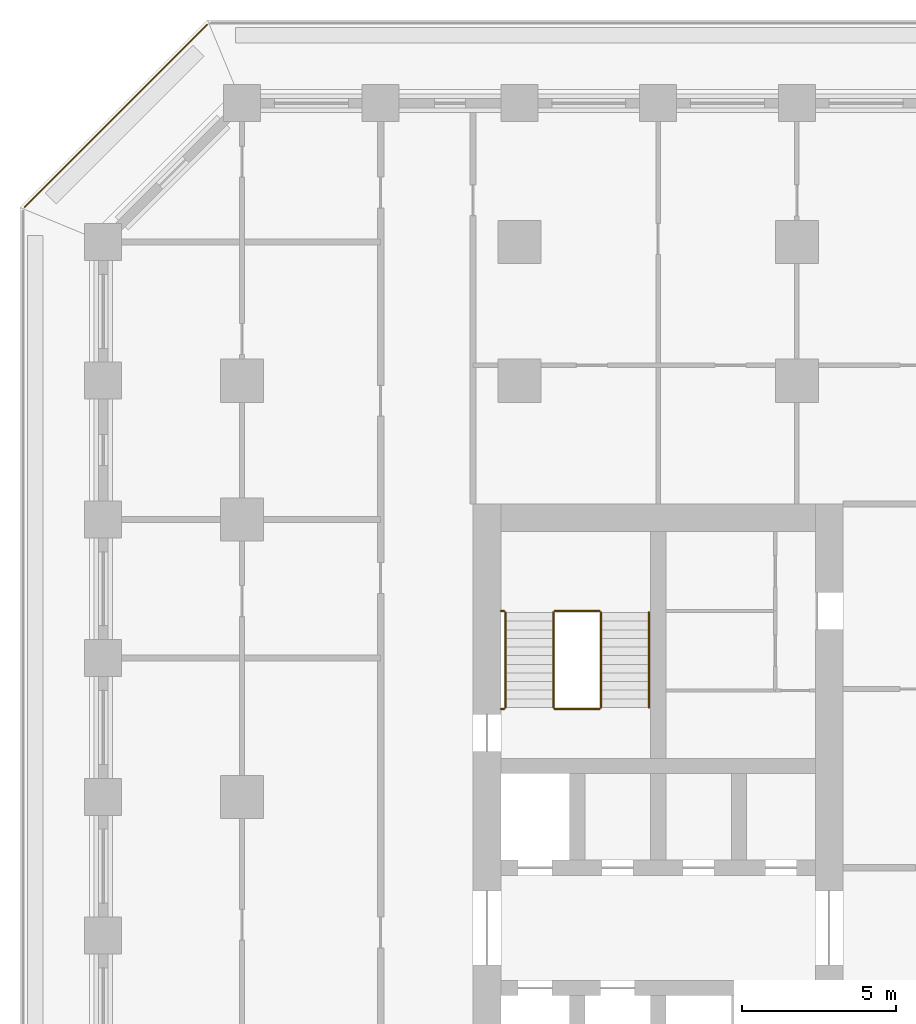
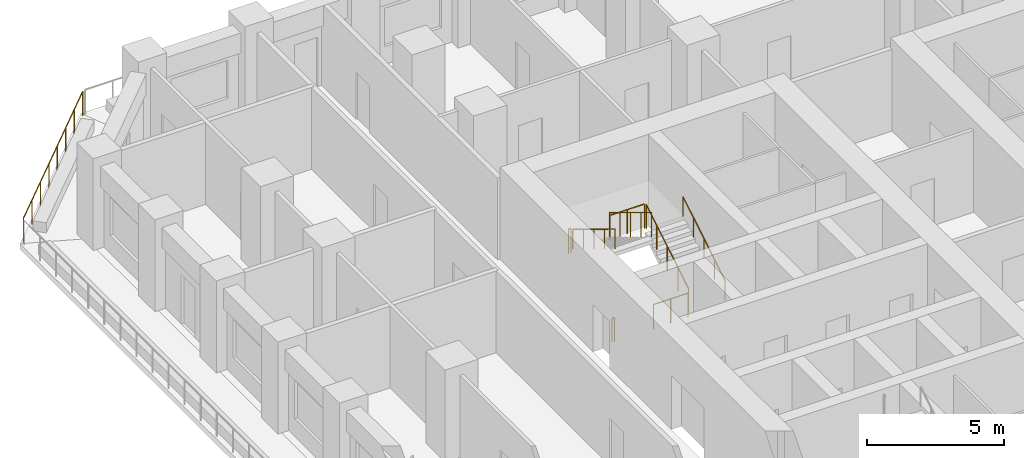
# One storey, part 15 of 18: 9 railings.
"""IFC4 building model written with IfcOpenShell, lengths in metres."""

from ifc_helpers import new_model, si_unit, direction, frame, origin, origin_2d, place, context, subcontext, project, spatial, circle, extrude, material, type_object, element, save


model = new_model("IFC4")

# Units and contexts
model_context = context("Model", 3, precision=1e-05, world=origin(), true_north=direction((0.0, 1.0)))
body_context = subcontext(model_context, "Body", "Model", "MODEL_VIEW")
ifc_project = project(units=[si_unit("LENGTHUNIT", "METRE"), si_unit("AREAUNIT", "SQUARE_METRE"), si_unit("VOLUMEUNIT", "CUBIC_METRE"), si_unit("PLANEANGLEUNIT", "RADIAN"), si_unit("MASSUNIT", "GRAM", prefix="KILO")], contexts=[model_context])

# Site, building, storey
site_placement = place(None, origin())
site = spatial("IfcSite", under=ifc_project, at=site_placement, CompositionType="ELEMENT")
building_placement = place(site_placement, origin())
building = spatial("IfcBuilding", under=site, at=building_placement, Name="Corbel Stack Research Tower", CompositionType="ELEMENT")
storey_placement = place(building_placement, frame((0.0, 0.0, 102.5)))
storey = spatial("IfcBuildingStorey", under=building, at=storey_placement, Name="L23", CompositionType="ELEMENT", Elevation=102.5)

# Railings
ifc_material_1 = material(Name="Steel S355", Category="steel")
railing_type_1 = type_object("IfcRailingType", Name="Stair guard 1100", PredefinedType="GUARDRAIL", material=ifc_material_1)
railing_1_placement = place(storey_placement, frame((-6.35009765625, 11.89990234375, 0.1708984375)))
element("IfcRailing", 1, at=railing_1_placement, inside=storey, type_object=railing_type_1, Name="L23 ST-W2 stair guard 1", PredefinedType="GUARDRAIL", context=body_context, shape_type="SweptSolid", body=[
    extrude(circle(Radius=0.02392578125, at=origin_2d()), frame((0.0, 0.0, 1.076171875), z_axis=(0.0, 0.853666305674, 0.52082035152), x_axis=(-1.0, 0.0, 0.0)), (0.0, 0.0, 1.0), 3.608154296875),
    extrude(circle(Radius=0.02099609375, at=origin_2d()), origin(), (0.0, 0.0, 1.0), 1.052001953125),
    extrude(circle(Radius=0.02099609375, at=origin_2d()), frame((0.0, 0.77001953125, 0.4697265625)), (0.0, 0.0, 1.0), 1.052001953125),
    extrude(circle(Radius=0.02099609375, at=origin_2d()), frame((0.0, 1.5400390625, 0.939453125)), (0.0, 0.0, 1.0), 1.052001953125),
    extrude(circle(Radius=0.02099609375, at=origin_2d()), frame((0.0, 2.31005859375, 1.409423828125)), (0.0, 0.0, 1.0), 1.052001953125),
    extrude(circle(Radius=0.02099609375, at=origin_2d()), frame((0.0, 3.080078125, 1.879150390625)), (0.0, 0.0, 1.0), 1.052001953125),
])
railing_2_placement = place(storey_placement, frame((-6.39990234375, 15.030029296875, 2.050048828125)))
element("IfcRailing", 2, at=railing_2_placement, inside=storey, type_object=railing_type_1, Name="L23 ST-W2 stair guard 2", PredefinedType="GUARDRAIL", context=body_context, shape_type="SweptSolid", body=[
    extrude(circle(Radius=0.02392578125, at=origin_2d()), frame((0.0, 0.0, 1.076171875), z_axis=(-1.0, 0.0, 0.0), x_axis=(0.0, -1.0, 0.0)), (0.0, 0.0, 1.0), 1.4501953125),
    extrude(circle(Radius=0.02099609375, at=origin_2d()), origin(), (0.0, 0.0, 1.0), 1.052001953125),
    extrude(circle(Radius=0.02099609375, at=origin_2d()), frame((-0.72509765625, 0.0, 0.0)), (0.0, 0.0, 1.0), 1.052001953125),
    extrude(circle(Radius=0.02099609375, at=origin_2d()), frame((-1.4501953125, 0.0, 0.0)), (0.0, 0.0, 1.0), 1.052001953125),
])
railing_3_placement = place(storey_placement, frame((-9.5, 15.030029296875, 2.050048828125)))
element("IfcRailing", 3, at=railing_3_placement, inside=storey, type_object=railing_type_1, Name="L23 ST-W2 stair guard 3", PredefinedType="GUARDRAIL", context=body_context, shape_type="SweptSolid", body=[
    extrude(circle(Radius=0.02392578125, at=origin_2d()), frame((0.0, 0.0, 1.076171875), z_axis=(-1.0, 0.0, 0.0), x_axis=(0.0, -1.0, 0.0)), (0.0, 0.0, 1.0), 0.10009765625),
    extrude(circle(Radius=0.02099609375, at=origin_2d()), origin(), (0.0, 0.0, 1.0), 1.052001953125),
    extrude(circle(Radius=0.02099609375, at=origin_2d()), frame((-0.10009765625, 0.0, 0.0)), (0.0, 0.0, 1.0), 1.052001953125),
])
railing_4_placement = place(storey_placement, frame((-7.89990234375, 14.97998046875, 2.220947265625)))
element("IfcRailing", 4, at=railing_4_placement, inside=storey, type_object=railing_type_1, Name="L23 ST-W2 stair guard 4", PredefinedType="GUARDRAIL", context=body_context, shape_type="SweptSolid", body=[
    extrude(circle(Radius=0.02392578125, at=origin_2d()), frame((0.0, 0.0, 1.076171875), z_axis=(0.0, -0.853666305674, 0.52082035152), x_axis=(1.0, 0.0, 0.0)), (0.0, 0.0, 1.0), 3.608154296875),
    extrude(circle(Radius=0.02099609375, at=origin_2d()), origin(), (0.0, 0.0, 1.0), 1.052001953125),
    extrude(circle(Radius=0.02099609375, at=origin_2d()), frame((0.0, -0.77001953125, 0.4697265625)), (0.0, 0.0, 1.0), 1.052001953125),
    extrude(circle(Radius=0.02099609375, at=origin_2d()), frame((0.0, -1.5400390625, 0.939453125)), (0.0, 0.0, 1.0), 1.052001953125),
    extrude(circle(Radius=0.02099609375, at=origin_2d()), frame((0.0, -2.31005859375, 1.409423828125)), (0.0, 0.0, 1.0), 1.052001953125),
    extrude(circle(Radius=0.02099609375, at=origin_2d()), frame((0.0, -3.080078125, 1.879150390625)), (0.0, 0.0, 1.0), 1.052001953125),
])
railing_5_placement = place(storey_placement, frame((-6.39990234375, 11.85009765625, 0.0)))
element("IfcRailing", 5, at=railing_5_placement, inside=storey, type_object=railing_type_1, Name="L23 ST-W2 stair guard 5", PredefinedType="GUARDRAIL", context=body_context, shape_type="SweptSolid", body=[
    extrude(circle(Radius=0.02392578125, at=origin_2d()), frame((0.0, 0.0, 1.076171875), z_axis=(-1.0, 0.0, 0.0), x_axis=(0.0, -1.0, 0.0)), (0.0, 0.0, 1.0), 1.4501953125),
    extrude(circle(Radius=0.02099609375, at=origin_2d()), origin(), (0.0, 0.0, 1.0), 1.052001953125),
    extrude(circle(Radius=0.02099609375, at=origin_2d()), frame((-0.72509765625, 0.0, 0.0)), (0.0, 0.0, 1.0), 1.052001953125),
    extrude(circle(Radius=0.02099609375, at=origin_2d()), frame((-1.4501953125, 0.0, 0.0)), (0.0, 0.0, 1.0), 1.052001953125),
])
railing_6_placement = place(storey_placement, frame((-9.5, 11.85009765625, 0.0)))
element("IfcRailing", 6, at=railing_6_placement, inside=storey, type_object=railing_type_1, Name="L23 ST-W2 stair guard 6", PredefinedType="GUARDRAIL", context=body_context, shape_type="SweptSolid", body=[
    extrude(circle(Radius=0.02392578125, at=origin_2d()), frame((0.0, 0.0, 1.076171875), z_axis=(-1.0, 0.0, 0.0), x_axis=(0.0, -1.0, 0.0)), (0.0, 0.0, 1.0), 0.10009765625),
    extrude(circle(Radius=0.02099609375, at=origin_2d()), origin(), (0.0, 0.0, 1.0), 1.052001953125),
    extrude(circle(Radius=0.02099609375, at=origin_2d()), frame((-0.10009765625, 0.0, 0.0)), (0.0, 0.0, 1.0), 1.052001953125),
])
ifc_material_2 = material(Name="Steel S355", Category="steel")
railing_type_2 = type_object("IfcRailingType", Name="Stair handrail 900", PredefinedType="HANDRAIL", material=ifc_material_2)
railing_7_placement = place(storey_placement, frame((-4.800048828125, 11.89990234375, 0.1708984375)))
element("IfcRailing", 7, at=railing_7_placement, inside=storey, type_object=railing_type_2, Name="L23 ST-W2 stair handrail 1", PredefinedType="HANDRAIL", context=body_context, shape_type="SweptSolid", body=[
    extrude(circle(Radius=0.02392578125, at=origin_2d()), frame((0.0, 0.0, 0.8759765625), z_axis=(0.0, 0.853666305674, 0.52082035152), x_axis=(-1.0, 0.0, 0.0)), (0.0, 0.0, 1.0), 3.608154296875),
    extrude(circle(Radius=0.02099609375, at=origin_2d()), origin(), (0.0, 0.0, 1.0), 0.851806640625),
    extrude(circle(Radius=0.02099609375, at=origin_2d()), frame((0.0, 0.77001953125, 0.4697265625)), (0.0, 0.0, 1.0), 0.851806640625),
    extrude(circle(Radius=0.02099609375, at=origin_2d()), frame((0.0, 1.5400390625, 0.939453125)), (0.0, 0.0, 1.0), 0.851806640625),
    extrude(circle(Radius=0.02099609375, at=origin_2d()), frame((0.0, 2.31005859375, 1.409423828125)), (0.0, 0.0, 1.0), 0.851806640625),
    extrude(circle(Radius=0.02099609375, at=origin_2d()), frame((0.0, 3.080078125, 1.879150390625)), (0.0, 0.0, 1.0), 0.851806640625),
])
railing_8_placement = place(storey_placement, frame((-9.449951171875, 14.97998046875, 2.220947265625)))
element("IfcRailing", 8, at=railing_8_placement, inside=storey, type_object=railing_type_2, Name="L23 ST-W2 stair handrail 2", PredefinedType="HANDRAIL", context=body_context, shape_type="SweptSolid", body=[
    extrude(circle(Radius=0.02392578125, at=origin_2d()), frame((0.0, 0.0, 0.8759765625), z_axis=(0.0, -0.853666305674, 0.52082035152), x_axis=(1.0, 0.0, 0.0)), (0.0, 0.0, 1.0), 3.608154296875),
    extrude(circle(Radius=0.02099609375, at=origin_2d()), origin(), (0.0, 0.0, 1.0), 0.851806640625),
    extrude(circle(Radius=0.02099609375, at=origin_2d()), frame((0.0, -0.77001953125, 0.4697265625)), (0.0, 0.0, 1.0), 0.851806640625),
    extrude(circle(Radius=0.02099609375, at=origin_2d()), frame((0.0, -1.5400390625, 0.939453125)), (0.0, 0.0, 1.0), 0.851806640625),
    extrude(circle(Radius=0.02099609375, at=origin_2d()), frame((0.0, -2.31005859375, 1.409423828125)), (0.0, 0.0, 1.0), 0.851806640625),
    extrude(circle(Radius=0.02099609375, at=origin_2d()), frame((0.0, -3.080078125, 1.879150390625)), (0.0, 0.0, 1.0), 0.851806640625),
])
ifc_material_3 = material(Name="Powder-coated steel guard", Category="steel")
railing_type_3 = type_object("IfcRailingType", Name="Steel and glass guard 1100", PredefinedType="GUARDRAIL", material=ifc_material_3)
railing_9_placement = place(storey_placement, frame((-19.127685546875, 34.04931640625, 0.0)))
element("IfcRailing", 9, at=railing_9_placement, inside=storey, type_object=railing_type_3, Name="Loggia guard L23 NW", PredefinedType="GUARDRAIL", context=body_context, shape_type="SweptSolid", body=[
    extrude(circle(Radius=0.02392578125, at=origin_2d()), frame((0.0, 0.0, 1.076171875), z_axis=(-0.707106781187, -0.707106781187, 0.0), x_axis=(0.707106781187, -0.707106781187, 0.0)), (0.0, 0.0, 1.0), 8.37451171875),
    extrude(circle(Radius=0.02099609375, at=origin_2d()), origin(), (0.0, 0.0, 1.0), 1.052001953125),
    extrude(circle(Radius=0.02099609375, at=origin_2d()), frame((-0.845947265625, -0.845947265625, 0.0)), (0.0, 0.0, 1.0), 1.052001953125),
    extrude(circle(Radius=0.02099609375, at=origin_2d()), frame((-1.69189453125, -1.69189453125, 0.0)), (0.0, 0.0, 1.0), 1.052001953125),
    extrude(circle(Radius=0.02099609375, at=origin_2d()), frame((-2.537841796875, -2.537841796875, 0.0)), (0.0, 0.0, 1.0), 1.052001953125),
    extrude(circle(Radius=0.02099609375, at=origin_2d()), frame((-3.3837890625, -3.3837890625, 0.0)), (0.0, 0.0, 1.0), 1.052001953125),
    extrude(circle(Radius=0.02099609375, at=origin_2d()), frame((-4.229736328125, -4.229736328125, 0.0)), (0.0, 0.0, 1.0), 1.052001953125),
    extrude(circle(Radius=0.02099609375, at=origin_2d()), frame((-5.07568359375, -5.07568359375, 0.0)), (0.0, 0.0, 1.0), 1.052001953125),
    extrude(circle(Radius=0.02099609375, at=origin_2d()), frame((-5.921630859375, -5.921630859375, 0.0)), (0.0, 0.0, 1.0), 1.052001953125),
])

save(model, "model.ifc")
